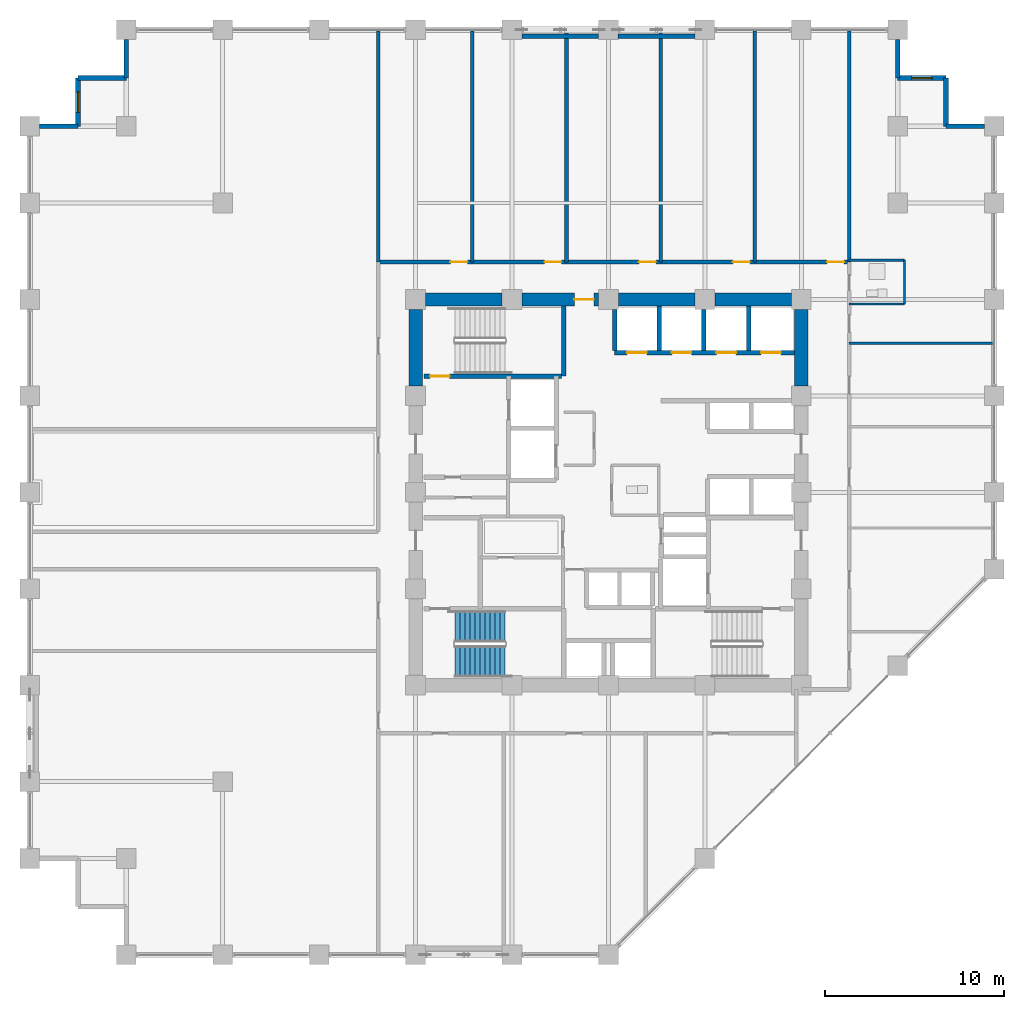
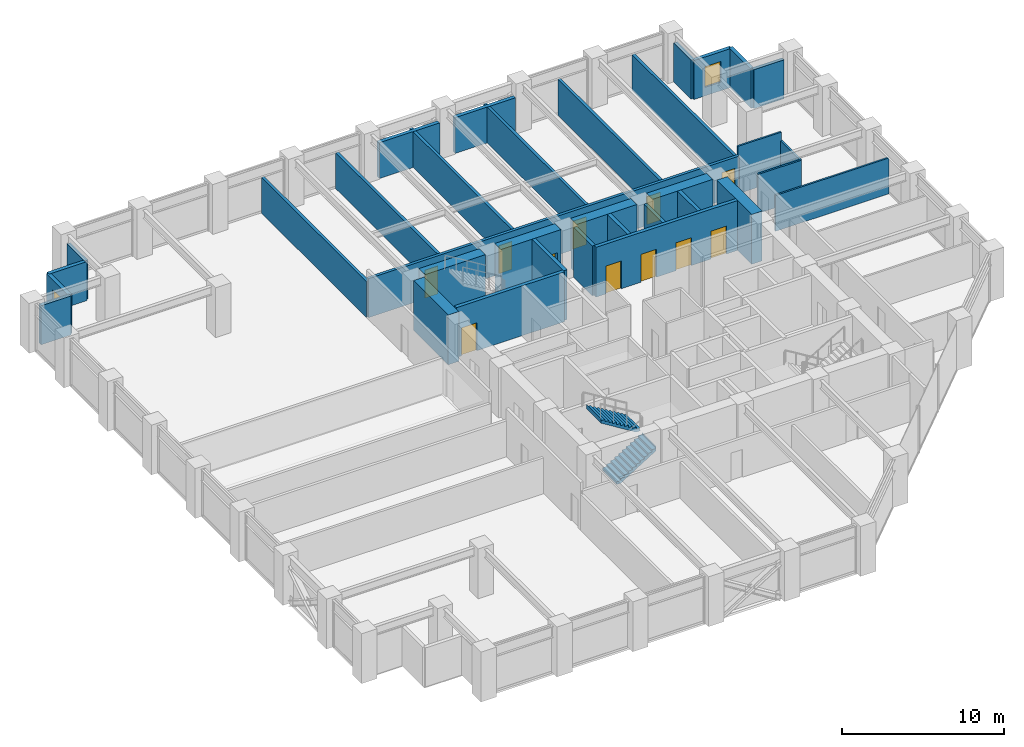
# One storey, part 21 of 25: 34 walls, 11 doors, 2 stair flights, 2 windows, 13 openings, 1 element without a shape of its own.
"""IFC4 building model written with IfcOpenShell, lengths in metres."""

from ifc_helpers import new_model, si_unit, direction, frame, frame_2d, origin, place, context, subcontext, project, spatial, polyline, rectangle, outline, extrude, material, layer, layer_set, type_object, element, fill, aggregate, save


model = new_model("IFC4")

# Units and contexts
model_context = context("Model", 3, precision=1e-05, world=origin(), true_north=direction((0.0, 1.0)))
body_context = subcontext(model_context, "Body", "Model", "MODEL_VIEW")
ifc_project = project(units=[si_unit("LENGTHUNIT", "METRE"), si_unit("AREAUNIT", "SQUARE_METRE"), si_unit("VOLUMEUNIT", "CUBIC_METRE"), si_unit("PLANEANGLEUNIT", "RADIAN"), si_unit("MASSUNIT", "GRAM", prefix="KILO")], contexts=[model_context])

# Site, building, storey
site_placement = place(None, origin())
site = spatial("IfcSite", under=ifc_project, at=site_placement, CompositionType="ELEMENT")
building_placement = place(site_placement, origin())
building = spatial("IfcBuilding", under=site, at=building_placement, Name="Surkhivell Harbour Commons", CompositionType="ELEMENT")
storey_placement = place(building_placement, frame((0.0, 0.0, 117.0)))
storey = spatial("IfcBuildingStorey", under=building, at=storey_placement, Name="L30", CompositionType="ELEMENT", Elevation=117.0)

# Wall
ifc_material_1 = material(Name="Concrete C60/75", Category="concrete")
ifc_layer_1 = layer(ifc_material_1, 0.75)
ifc_layer_set_1 = layer_set([ifc_layer_1], Name="Concrete C60/75")
wall_type_1 = type_object("IfcWallType", Name="WAL-CORE-750", PredefinedType="SHEAR", material=ifc_layer_set_1)
wall_1_placement = place(storey_placement, frame((-10.239990234375, 10.800048828125, 0.0), z_axis=(0.0, 0.0, 1.0), x_axis=(1.0, 0.0, 0.0)))
element("IfcWall", 1, at=wall_1_placement, inside=storey, type_object=wall_type_1, Name="L30 Core Shear Wall North 1", PredefinedType="SHEAR", context=body_context, shape_type="SweptSolid", body=[
    extrude(rectangle(XDim=4.280029296875, YDim=0.75, at=frame_2d((2.14013671875, 0.0))), origin(), (0.0, 0.0, 1.0), 3.75),
])

# Wall, opening, door
wall_2_placement = place(storey_placement, frame((-4.840087890625, 10.800048828125, 0.0), z_axis=(0.0, 0.0, 1.0), x_axis=(1.0, 0.0, 0.0)))
wall_2 = element("IfcWall", 2, at=wall_2_placement, inside=storey, type_object=wall_type_1, Name="L30 Core Shear Wall North 2", PredefinedType="SHEAR", context=body_context, shape_type="SweptSolid", body=[
    extrude(rectangle(XDim=4.280029296875, YDim=0.75, at=frame_2d((2.14013671875, 0.0))), origin(), (0.0, 0.0, 1.0), 3.75),
])
opening_1_placement = place(wall_2_placement, frame((2.929931640625, 0.0, 0.0)))
opening_1 = element("IfcOpeningElement", 3, at=opening_1_placement, cuts=wall_2, Name="Opening ID-2", PredefinedType="OPENING", context=body_context, shape_type="SweptSolid", body=[
    extrude(rectangle(XDim=1.10009765625, YDim=2.10009765625, at=frame_2d((0.550048828125, 1.050048828125))), frame((0.0, 0.385009765625, 0.0), z_axis=(0.0, -1.0, 0.0), x_axis=(1.0, 0.0, 0.0)), (0.0, 0.0, 1.0), 0.77001953125),
])
ifc_material_2 = material(Name="Hardwood-veneered fire-rated door leaf", Category="wood")
door_type_1 = type_object("IfcDoorType", Name="DOR-FD60-1100", OperationType="NOTDEFINED", PredefinedType="DOOR", material=ifc_material_2)
door_1_placement = place(opening_1_placement, origin())
door_1 = element("IfcDoor", 4, at=door_1_placement, inside=storey, type_object=door_type_1, Name="L30 Central Core Lift Hall North Corridor Door", OperationType="SINGLE_SWING_LEFT", OverallHeight=2.10009765625, OverallWidth=1.10009765625, PredefinedType="DOOR", context=body_context, shape_type="SweptSolid", body=[
    extrude(rectangle(XDim=1.10009765625, YDim=2.10009765625, at=frame_2d((0.550048828125, 1.050048828125))), frame((0.0, 0.02490234375, 0.0), z_axis=(0.0, -1.0, 0.0), x_axis=(1.0, 0.0, 0.0)), (0.0, 0.0, 1.0), 0.050048828125),
])
fill(opening_1, door_1)

# Walls
for number, where, z_axis, x_axis, name in (
    (5, (0.56005859375, 10.800048828125, 0.0), (0.0, 0.0, 1.0), (1.0, 0.0, 0.0), "L30 Core Shear Wall North 3"),
    (6, (5.9599609375, 10.800048828125, 0.0), (0.0, 0.0, 1.0), (1.0, 0.0, 0.0), "L30 Core Shear Wall North 4"),
    (7, (-10.800048828125, 5.9599609375, 0.0), (0.0, 0.0, 1.0), (0.0, 1.0, 0.0), "L30 Core Shear Wall West 4"),
    (8, (10.800048828125, 5.9599609375, 0.0), (0.0, 0.0, 1.0), (0.0, 1.0, 0.0), "L30 Core Shear Wall East 4"),
):
    element("IfcWall", number, at=place(storey_placement, frame(where, z_axis=z_axis, x_axis=x_axis)), inside=storey, type_object=wall_type_1, Name=name, PredefinedType="SHEAR", context=body_context, shape_type="SweptSolid", body=[
        extrude(rectangle(XDim=4.280029296875, YDim=0.75, at=frame_2d((2.14013671875, 0.0))), origin(), (0.0, 0.0, 1.0), 3.75),
    ])
ifc_material_3 = material(Name="Pale-metal insulated precast concrete C45/55", Category="concrete")
ifc_layer_2 = layer(ifc_material_3, 0.260009765625)
ifc_layer_set_2 = layer_set([ifc_layer_2], Name="Pale-metal insulated precast concrete C45/55")
wall_type_2 = type_object("IfcWallType", Name="WAL-EXT-MTL260", PredefinedType="STANDARD", material=ifc_layer_set_2)
wall_3_placement = place(storey_placement, frame((21.052001953125, 20.5, 0.0), z_axis=(0.0, 0.0, 1.0), x_axis=(-1.0, 0.0, 0.0)))
element("IfcWall", 9, at=wall_3_placement, inside=storey, type_object=wall_type_2, Name="L30 Serrated Corner Facade Wall 03", PredefinedType="STANDARD", context=body_context, shape_type="SweptSolid", body=[
    extrude(rectangle(XDim=2.152099609375, YDim=0.260009765625, at=frame_2d((1.076171875, 0.0))), origin(), (0.0, 0.0, 1.0), 2.93310546875),
])
wall_4_placement = place(storey_placement, frame((18.89990234375, 20.5, 0.0), z_axis=(0.0, 0.0, 1.0), x_axis=(0.0, 1.0, 0.0)))
element("IfcWall", 10, at=wall_4_placement, inside=storey, type_object=wall_type_2, Name="L30 Serrated Corner Facade Wall 04", PredefinedType="STANDARD", context=body_context, shape_type="SweptSolid", body=[
    extrude(rectangle(XDim=2.699951171875, YDim=0.260009765625, at=frame_2d((1.35009765625, 0.0))), origin(), (0.0, 0.0, 1.0), 2.93310546875),
])

# Wall, opening, window
wall_5_placement = place(storey_placement, frame((18.89990234375, 23.199951171875, 0.0), z_axis=(0.0, 0.0, 1.0), x_axis=(-1.0, 0.0, 0.0)))
wall_5 = element("IfcWall", 11, at=wall_5_placement, inside=storey, type_object=wall_type_2, Name="L30 Serrated Corner Facade Wall 05", PredefinedType="STANDARD", context=body_context, shape_type="SweptSolid", body=[
    extrude(rectangle(XDim=2.699951171875, YDim=0.260009765625, at=frame_2d((1.35009765625, 0.0))), origin(), (0.0, 0.0, 1.0), 2.93310546875),
])
opening_2_placement = place(wall_5_placement, frame((0.77490234375, 0.0, 0.64990234375)))
opening_2 = element("IfcOpeningElement", 12, at=opening_2_placement, cuts=wall_5, Name="Opening WN-10", PredefinedType="OPENING", context=body_context, shape_type="SweptSolid", body=[
    extrude(rectangle(XDim=1.14990234375, YDim=1.550048828125, at=frame_2d((0.574951171875, 0.77490234375))), frame((0.0, 0.139892578125, 0.0), z_axis=(0.0, -1.0, 0.0), x_axis=(1.0, 0.0, 0.0)), (0.0, 0.0, 1.0), 0.280029296875),
])
ifc_material_4 = material(Name="Thermal-break aluminium frame and double low-E glazing", Category="aluminium")
window_type = type_object("IfcWindowType", Name="WIN-SER-1150x1550", PartitioningType="SINGLE_PANEL", PredefinedType="WINDOW", material=ifc_material_4)
window_1_placement = place(opening_2_placement, origin())
window_1 = element("IfcWindow", 13, at=window_1_placement, inside=storey, type_object=window_type, Name="L30 Serrated Alcove Window 05", OverallHeight=1.550048828125, OverallWidth=1.14990234375, PartitioningType="SINGLE_PANEL", PredefinedType="WINDOW", context=body_context, shape_type="SweptSolid", body=[
    extrude(rectangle(XDim=1.14990234375, YDim=1.550048828125, at=frame_2d((0.574951171875, 0.77490234375))), frame((0.0, 0.030029296875, 0.0), z_axis=(0.0, -1.0, 0.0), x_axis=(1.0, 0.0, 0.0)), (0.0, 0.0, 1.0), 0.06005859375),
])
fill(opening_2, window_1)

# Walls
wall_6_placement = place(storey_placement, frame((16.199951171875, 23.199951171875, 0.0), z_axis=(0.0, 0.0, 1.0), x_axis=(0.0, 1.0, 0.0)))
element("IfcWall", 14, at=wall_6_placement, inside=storey, type_object=wall_type_2, Name="L30 Serrated Corner Facade Wall 06", PredefinedType="STANDARD", context=body_context, shape_type="SweptSolid", body=[
    extrude(rectangle(XDim=2.152099609375, YDim=0.260009765625, at=frame_2d((1.076171875, 0.0))), origin(), (0.0, 0.0, 1.0), 2.93310546875),
])
for number, where, z_axis, x_axis, name in (
    (15, (-0.548095703125, 25.5400390625, 0.0), (0.0, 0.0, 1.0), (-1.0, 0.0, 0.0), "L30 Braced-Bay Insulated Spandrel Backing N"),
    (16, (4.85205078125, 25.5400390625, 0.0), (0.0, 0.0, 1.0), (-1.0, 0.0, 0.0), "L30 Braced-Bay Insulated Spandrel Backing N2"),
):
    element("IfcWall", number, at=place(storey_placement, frame(where, z_axis=z_axis, x_axis=x_axis)), inside=storey, type_object=wall_type_2, Name=name, PredefinedType="STANDARD", context=body_context, shape_type="SweptSolid", body=[
        extrude(rectangle(XDim=4.303955078125, YDim=0.260009765625, at=frame_2d((2.15185546875, 0.0))), origin(), (0.0, 0.0, 1.0), 2.698974609375),
    ])
wall_7_placement = place(storey_placement, frame((-27.0, 25.35205078125, 0.0), z_axis=(0.0, 0.0, 1.0), x_axis=(0.0, -1.0, 0.0)))
element("IfcWall", 17, at=wall_7_placement, inside=storey, type_object=wall_type_2, Name="L30 Serrated Corner Facade Wall 08", PredefinedType="STANDARD", context=body_context, shape_type="SweptSolid", body=[
    extrude(rectangle(XDim=2.152099609375, YDim=0.260009765625, at=frame_2d((1.076171875, 0.0))), origin(), (0.0, 0.0, 1.0), 2.93310546875),
])
wall_8_placement = place(storey_placement, frame((-27.0, 23.199951171875, 0.0), z_axis=(0.0, 0.0, 1.0), x_axis=(-1.0, 0.0, 0.0)))
element("IfcWall", 18, at=wall_8_placement, inside=storey, type_object=wall_type_2, Name="L30 Serrated Corner Facade Wall 09", PredefinedType="STANDARD", context=body_context, shape_type="SweptSolid", body=[
    extrude(rectangle(XDim=2.699951171875, YDim=0.260009765625, at=frame_2d((1.35009765625, 0.0))), origin(), (0.0, 0.0, 1.0), 2.93310546875),
])

# Wall, opening, window
wall_9_placement = place(storey_placement, frame((-29.699951171875, 23.199951171875, 0.0), z_axis=(0.0, 0.0, 1.0), x_axis=(0.0, -1.0, 0.0)))
wall_9 = element("IfcWall", 19, at=wall_9_placement, inside=storey, type_object=wall_type_2, Name="L30 Serrated Corner Facade Wall 10", PredefinedType="STANDARD", context=body_context, shape_type="SweptSolid", body=[
    extrude(rectangle(XDim=2.699951171875, YDim=0.260009765625, at=frame_2d((1.35009765625, 0.0))), origin(), (0.0, 0.0, 1.0), 2.93310546875),
])
opening_3_placement = place(wall_9_placement, frame((0.77490234375, 0.0, 0.64990234375)))
opening_3 = element("IfcOpeningElement", 20, at=opening_3_placement, cuts=wall_9, Name="Opening WN-10", PredefinedType="OPENING", context=body_context, shape_type="SweptSolid", body=[
    extrude(rectangle(XDim=1.14990234375, YDim=1.550048828125, at=frame_2d((0.574951171875, 0.77490234375))), frame((0.0, 0.139892578125, 0.0), z_axis=(0.0, -1.0, 0.0), x_axis=(1.0, 0.0, 0.0)), (0.0, 0.0, 1.0), 0.280029296875),
])
window_2_placement = place(opening_3_placement, origin())
window_2 = element("IfcWindow", 21, at=window_2_placement, inside=storey, type_object=window_type, Name="L30 Serrated Alcove Window 10", OverallHeight=1.550048828125, OverallWidth=1.14990234375, PartitioningType="SINGLE_PANEL", PredefinedType="WINDOW", context=body_context, shape_type="SweptSolid", body=[
    extrude(rectangle(XDim=1.14990234375, YDim=1.550048828125, at=frame_2d((0.574951171875, 0.77490234375))), frame((0.0, 0.030029296875, 0.0), z_axis=(0.0, -1.0, 0.0), x_axis=(1.0, 0.0, 0.0)), (0.0, 0.0, 1.0), 0.06005859375),
])
fill(opening_3, window_2)

# Walls
wall_10_placement = place(storey_placement, frame((-29.699951171875, 20.5, 0.0), z_axis=(0.0, 0.0, 1.0), x_axis=(-1.0, 0.0, 0.0)))
element("IfcWall", 22, at=wall_10_placement, inside=storey, type_object=wall_type_2, Name="L30 Serrated Corner Facade Wall 11", PredefinedType="STANDARD", context=body_context, shape_type="SweptSolid", body=[
    extrude(rectangle(XDim=2.152099609375, YDim=0.260009765625, at=frame_2d((1.076171875, 0.0))), origin(), (0.0, 0.0, 1.0), 2.93310546875),
])
ifc_material_5 = material(Name="Moisture-resistant acoustic stud partition", Category="other")
ifc_layer_3 = layer(ifc_material_5, 0.125)
ifc_layer_set_3 = layer_set([ifc_layer_3], Name="Moisture-resistant acoustic stud partition")
wall_type_3 = type_object("IfcWallType", Name="WAL-INT-125", PredefinedType="PARTITIONING", material=ifc_layer_set_3)
wall_11_placement = place(storey_placement, frame((16.580078125, 10.550048828125, 0.0), z_axis=(0.0, 0.0, 1.0), x_axis=(0.0, 1.0, 0.0)))
element("IfcWall", 23, at=wall_11_placement, inside=storey, type_object=wall_type_3, Name="L30 East Partition BTHB", PredefinedType="PARTITIONING", context=body_context, shape_type="SweptSolid", body=[
    extrude(rectangle(XDim=2.449951171875, YDim=0.125, at=frame_2d((1.22509765625, 0.0))), origin(), (0.0, 0.0, 1.0), 2.93310546875),
])
wall_12_placement = place(storey_placement, frame((13.47998046875, 13.0, 0.0), z_axis=(0.0, 0.0, 1.0), x_axis=(1.0, 0.0, 0.0)))
element("IfcWall", 24, at=wall_12_placement, inside=storey, type_object=wall_type_3, Name="L30 East Partition BTHN", PredefinedType="PARTITIONING", context=body_context, shape_type="SweptSolid", body=[
    extrude(rectangle(XDim=3.10009765625, YDim=0.125, at=frame_2d((1.550048828125, 0.0))), origin(), (0.0, 0.0, 1.0), 3.570068359375),
])
wall_13_placement = place(storey_placement, frame((13.47998046875, 10.550048828125, 0.0), z_axis=(0.0, 0.0, 1.0), x_axis=(1.0, 0.0, 0.0)))
element("IfcWall", 25, at=wall_13_placement, inside=storey, type_object=wall_type_3, Name="L30 East Partition BTHS", PredefinedType="PARTITIONING", context=body_context, shape_type="SweptSolid", body=[
    extrude(rectangle(XDim=3.10009765625, YDim=0.125, at=frame_2d((1.550048828125, 0.0))), origin(), (0.0, 0.0, 1.0), 2.93310546875),
])
wall_14_placement = place(storey_placement, frame((13.47998046875, 8.35009765625, 0.0), z_axis=(0.0, 0.0, 1.0), x_axis=(1.0, 0.0, 0.0)))
element("IfcWall", 26, at=wall_14_placement, inside=storey, type_object=wall_type_3, Name="L30 East Partition PTOP", PredefinedType="PARTITIONING", context=body_context, shape_type="SweptSolid", body=[
    extrude(rectangle(XDim=8.06005859375, YDim=0.125, at=frame_2d((4.030029296875, 0.0))), origin(), (0.0, 0.0, 1.0), 2.698974609375),
])
ifc_material_6 = material(Name="Autoclaved aerated concrete blockwork and fire plaster", Category="masonry")
ifc_layer_4 = layer(ifc_material_6, 0.199951171875)
ifc_layer_set_4 = layer_set([ifc_layer_4], Name="Autoclaved aerated concrete blockwork and fire plaster")
wall_type_4 = type_object("IfcWallType", Name="WAL-INT-200", PredefinedType="PARTITIONING", material=ifc_layer_set_4)
for number, where, z_axis, x_axis, name in (
    (27, (13.47998046875, 12.89990234375, 0.0), (0.0, 0.0, 1.0), (0.0, 1.0, 0.0), "L30 North-East Wing Corner Divider"),
    (28, (-12.89990234375, 12.89990234375, 0.0), (0.0, 0.0, 1.0), (0.0, 1.0, 0.0), "L30 North-West Wing Corner Divider"),
):
    element("IfcWall", number, at=place(storey_placement, frame(where, z_axis=z_axis, x_axis=x_axis)), inside=storey, type_object=wall_type_4, Name=name, PredefinedType="PARTITIONING", context=body_context, shape_type="SweptSolid", body=[
        extrude(rectangle(XDim=12.940185546875, YDim=0.199951171875, at=frame_2d((6.47021484375, 0.0))), origin(), (0.0, 0.0, 1.0), 2.698974609375),
    ])

# Wall, openings, doors
wall_15_placement = place(storey_placement, frame((-12.89990234375, 12.89990234375, 0.0), z_axis=(0.0, 0.0, 1.0), x_axis=(1.0, 0.0, 0.0)))
wall_15 = element("IfcWall", 29, at=wall_15_placement, inside=storey, type_object=wall_type_4, Name="L30 Corridor North Wall", PredefinedType="PARTITIONING", context=body_context, shape_type="SweptSolid", body=[
    extrude(rectangle(XDim=26.3798828125, YDim=0.199951171875, at=frame_2d((13.18994140625, 0.0))), origin(), (0.0, 0.0, 1.0), 2.93310546875),
])
opening_4_placement = place(wall_15_placement, frame((4.050048828125, 0.0, 0.0)))
opening_4 = element("IfcOpeningElement", 30, at=opening_4_placement, cuts=wall_15, Name="Opening ID-4", PredefinedType="OPENING", context=body_context, shape_type="SweptSolid", body=[
    extrude(rectangle(XDim=0.949951171875, YDim=2.10009765625, at=frame_2d((0.47509765625, 1.050048828125))), frame((0.0, 0.10986328125, 0.0), z_axis=(0.0, -1.0, 0.0), x_axis=(1.0, 0.0, 0.0)), (0.0, 0.0, 1.0), 0.219970703125),
])
opening_5_placement = place(wall_15_placement, frame((9.320068359375, 0.0, 0.0)))
opening_5 = element("IfcOpeningElement", 31, at=opening_5_placement, cuts=wall_15, Name="Opening ID-4", PredefinedType="OPENING", context=body_context, shape_type="SweptSolid", body=[
    extrude(rectangle(XDim=0.949951171875, YDim=2.10009765625, at=frame_2d((0.47509765625, 1.050048828125))), frame((0.0, 0.10986328125, 0.0), z_axis=(0.0, -1.0, 0.0), x_axis=(1.0, 0.0, 0.0)), (0.0, 0.0, 1.0), 0.219970703125),
])
opening_6_placement = place(wall_15_placement, frame((14.60009765625, 0.0, 0.0)))
opening_6 = element("IfcOpeningElement", 32, at=opening_6_placement, cuts=wall_15, Name="Opening ID-4", PredefinedType="OPENING", context=body_context, shape_type="SweptSolid", body=[
    extrude(rectangle(XDim=0.949951171875, YDim=2.10009765625, at=frame_2d((0.47509765625, 1.050048828125))), frame((0.0, 0.10986328125, 0.0), z_axis=(0.0, -1.0, 0.0), x_axis=(1.0, 0.0, 0.0)), (0.0, 0.0, 1.0), 0.219970703125),
])
opening_7_placement = place(wall_15_placement, frame((19.8701171875, 0.0, 0.0)))
opening_7 = element("IfcOpeningElement", 33, at=opening_7_placement, cuts=wall_15, Name="Opening ID-4", PredefinedType="OPENING", context=body_context, shape_type="SweptSolid", body=[
    extrude(rectangle(XDim=0.949951171875, YDim=2.10009765625, at=frame_2d((0.47509765625, 1.050048828125))), frame((0.0, 0.10986328125, 0.0), z_axis=(0.0, -1.0, 0.0), x_axis=(1.0, 0.0, 0.0)), (0.0, 0.0, 1.0), 0.219970703125),
])
opening_8_placement = place(wall_15_placement, frame((25.14990234375, 0.0, 0.0)))
opening_8 = element("IfcOpeningElement", 34, at=opening_8_placement, cuts=wall_15, Name="Opening ID-4", PredefinedType="OPENING", context=body_context, shape_type="SweptSolid", body=[
    extrude(rectangle(XDim=0.949951171875, YDim=2.10009765625, at=frame_2d((0.47509765625, 1.050048828125))), frame((0.0, 0.10986328125, 0.0), z_axis=(0.0, -1.0, 0.0), x_axis=(1.0, 0.0, 0.0)), (0.0, 0.0, 1.0), 0.219970703125),
])
door_type_2 = type_object("IfcDoorType", Name="DOR-FD60-950", OperationType="NOTDEFINED", PredefinedType="DOOR", material=ifc_material_2)
door_2_placement = place(opening_4_placement, origin())
door_2 = element("IfcDoor", 35, at=door_2_placement, inside=storey, type_object=door_type_2, Name="L30 Co-Working Study Office Pod 1 North Door", OperationType="SINGLE_SWING_RIGHT", OverallHeight=2.10009765625, OverallWidth=0.949951171875, PredefinedType="DOOR", context=body_context, shape_type="SweptSolid", body=[
    extrude(rectangle(XDim=0.949951171875, YDim=2.10009765625, at=frame_2d((0.47509765625, 1.050048828125))), frame((0.0, 0.02490234375, 0.0), z_axis=(0.0, -1.0, 0.0), x_axis=(1.0, 0.0, 0.0)), (0.0, 0.0, 1.0), 0.050048828125),
])
fill(opening_4, door_2)
door_3_placement = place(opening_5_placement, origin())
door_3 = element("IfcDoor", 36, at=door_3_placement, inside=storey, type_object=door_type_2, Name="L30 Academic Seminar Pod 2 North Door", OperationType="SINGLE_SWING_LEFT", OverallHeight=2.10009765625, OverallWidth=0.949951171875, PredefinedType="DOOR", context=body_context, shape_type="SweptSolid", body=[
    extrude(rectangle(XDim=0.949951171875, YDim=2.10009765625, at=frame_2d((0.47509765625, 1.050048828125))), frame((0.0, 0.02490234375, 0.0), z_axis=(0.0, -1.0, 0.0), x_axis=(1.0, 0.0, 0.0)), (0.0, 0.0, 1.0), 0.050048828125),
])
fill(opening_5, door_3)
door_4_placement = place(opening_6_placement, origin())
door_4 = element("IfcDoor", 37, at=door_4_placement, inside=storey, type_object=door_type_2, Name="L30 Harbour Espresso Cafe Shop 3 North Door", OperationType="SINGLE_SWING_RIGHT", OverallHeight=2.10009765625, OverallWidth=0.949951171875, PredefinedType="DOOR", context=body_context, shape_type="SweptSolid", body=[
    extrude(rectangle(XDim=0.949951171875, YDim=2.10009765625, at=frame_2d((0.47509765625, 1.050048828125))), frame((0.0, 0.02490234375, 0.0), z_axis=(0.0, -1.0, 0.0), x_axis=(1.0, 0.0, 0.0)), (0.0, 0.0, 1.0), 0.050048828125),
])
fill(opening_6, door_4)
door_5_placement = place(opening_7_placement, origin())
door_5 = element("IfcDoor", 38, at=door_5_placement, inside=storey, type_object=door_type_2, Name="L30 Zone Concierge Reception Foyer 4 North Door", OperationType="SINGLE_SWING_LEFT", OverallHeight=2.10009765625, OverallWidth=0.949951171875, PredefinedType="DOOR", context=body_context, shape_type="SweptSolid", body=[
    extrude(rectangle(XDim=0.949951171875, YDim=2.10009765625, at=frame_2d((0.47509765625, 1.050048828125))), frame((0.0, 0.02490234375, 0.0), z_axis=(0.0, -1.0, 0.0), x_axis=(1.0, 0.0, 0.0)), (0.0, 0.0, 1.0), 0.050048828125),
])
fill(opening_7, door_5)
door_6_placement = place(opening_8_placement, origin())
door_6 = element("IfcDoor", 39, at=door_6_placement, inside=storey, type_object=door_type_2, Name="L30 Shared Communal Kitchen 5 North Door", OperationType="SINGLE_SWING_RIGHT", OverallHeight=2.10009765625, OverallWidth=0.949951171875, PredefinedType="DOOR", context=body_context, shape_type="SweptSolid", body=[
    extrude(rectangle(XDim=0.949951171875, YDim=2.10009765625, at=frame_2d((0.47509765625, 1.050048828125))), frame((0.0, 0.02490234375, 0.0), z_axis=(0.0, -1.0, 0.0), x_axis=(1.0, 0.0, 0.0)), (0.0, 0.0, 1.0), 0.050048828125),
])
fill(opening_8, door_6)

# Walls
for number, where, z_axis, x_axis, name in (
    (40, (-7.6201171875, 12.89990234375, 0.0), (0.0, 0.0, 1.0), (0.0, 1.0, 0.0), "L30 North Partition P1"),
    (41, (-2.35009765625, 12.89990234375, 0.0), (0.0, 0.0, 1.0), (0.0, 1.0, 0.0), "L30 North Partition P2"),
    (42, (2.929931640625, 12.89990234375, 0.0), (0.0, 0.0, 1.0), (0.0, 1.0, 0.0), "L30 North Partition P3"),
    (43, (8.199951171875, 12.89990234375, 0.0), (0.0, 0.0, 1.0), (0.0, 1.0, 0.0), "L30 North Partition P4"),
):
    element("IfcWall", number, at=place(storey_placement, frame(where, z_axis=z_axis, x_axis=x_axis)), inside=storey, type_object=wall_type_4, Name=name, PredefinedType="PARTITIONING", context=body_context, shape_type="SweptSolid", body=[
        extrude(rectangle(XDim=12.940185546875, YDim=0.199951171875, at=frame_2d((6.47021484375, 0.0))), origin(), (0.0, 0.0, 1.0), 2.698974609375),
    ])
ifc_material_7 = material(Name="Concrete C50/60", Category="concrete")
ifc_layer_5 = layer(ifc_material_7, 0.25)
ifc_layer_set_5 = layer_set([ifc_layer_5], Name="Concrete C50/60")
wall_type_5 = type_object("IfcWallType", Name="WAL-SHAFT-250", PredefinedType="SHEAR", material=ifc_layer_set_5)
wall_16_placement = place(storey_placement, frame((2.85009765625, 7.93994140625, 0.0), z_axis=(0.0, 0.0, 1.0), x_axis=(0.0, 1.0, 0.0)))
element("IfcWall", 44, at=wall_16_placement, inside=storey, type_object=wall_type_5, Name="L30 Low-Rise Hoistway Wall", PredefinedType="SHEAR", context=body_context, shape_type="SweptSolid", body=[
    extrude(rectangle(XDim=2.485107421875, YDim=0.25, at=frame_2d((1.24267578125, 0.0))), origin(), (0.0, 0.0, 1.0), 3.75),
])
for number, where, z_axis, x_axis, name in (
    (45, (0.35009765625, 7.93994140625, 0.0), (0.0, 0.0, 1.0), (0.0, 1.0, 0.0), "L30 Low-Rise Hoistway Wall"),
    (46, (5.35009765625, 7.93994140625, 0.0), (0.0, 0.0, 1.0), (0.0, 1.0, 0.0), "L30 Low-Rise Hoistway Wall"),
):
    element("IfcWall", number, at=place(storey_placement, frame(where, z_axis=z_axis, x_axis=x_axis)), inside=storey, type_object=wall_type_5, Name=name, PredefinedType="SHEAR", context=body_context, shape_type="SweptSolid", body=[
        extrude(rectangle(XDim=2.31005859375, YDim=0.25, at=frame_2d((1.155029296875, 0.0))), origin(), (0.0, 0.0, 1.0), 3.75),
    ])
wall_17_placement = place(storey_placement, frame((7.85009765625, 7.93994140625, 0.0), z_axis=(0.0, 0.0, 1.0), x_axis=(0.0, 1.0, 0.0)))
element("IfcWall", 47, at=wall_17_placement, inside=storey, type_object=wall_type_5, Name="L30 Low-Rise Hoistway Wall", PredefinedType="SHEAR", context=body_context, shape_type="SweptSolid", body=[
    extrude(rectangle(XDim=2.485107421875, YDim=0.25, at=frame_2d((1.24267578125, 0.0))), origin(), (0.0, 0.0, 1.0), 3.75),
])

# Wall, openings, doors
wall_18_placement = place(storey_placement, frame((0.35009765625, 7.820068359375, 0.0), z_axis=(0.0, 0.0, 1.0), x_axis=(1.0, 0.0, 0.0)))
wall_18 = element("IfcWall", 48, at=wall_18_placement, inside=storey, type_object=wall_type_5, Name="L30 Low-Rise Lift Front Shaft Wall", PredefinedType="SHEAR", context=body_context, shape_type="SweptSolid", body=[
    extrude(rectangle(XDim=10.074951171875, YDim=0.25, at=frame_2d((5.03759765625, 0.0))), origin(), (0.0, 0.0, 1.0), 3.75),
])
opening_9_placement = place(wall_18_placement, frame((0.699951171875, 0.0, 0.0)))
opening_9 = element("IfcOpeningElement", 49, at=opening_9_placement, cuts=wall_18, Name="Opening LD-1", PredefinedType="OPENING", context=body_context, shape_type="SweptSolid", body=[
    extrude(rectangle(XDim=1.10009765625, YDim=2.10009765625, at=frame_2d((0.550048828125, 1.050048828125))), frame((0.0, 0.135009765625, 0.0), z_axis=(0.0, -1.0, 0.0), x_axis=(1.0, 0.0, 0.0)), (0.0, 0.0, 1.0), 0.27001953125),
])
opening_10_placement = place(wall_18_placement, frame((3.199951171875, 0.0, 0.0)))
opening_10 = element("IfcOpeningElement", 50, at=opening_10_placement, cuts=wall_18, Name="Opening LD-1", PredefinedType="OPENING", context=body_context, shape_type="SweptSolid", body=[
    extrude(rectangle(XDim=1.10009765625, YDim=2.10009765625, at=frame_2d((0.550048828125, 1.050048828125))), frame((0.0, 0.135009765625, 0.0), z_axis=(0.0, -1.0, 0.0), x_axis=(1.0, 0.0, 0.0)), (0.0, 0.0, 1.0), 0.27001953125),
])
opening_11_placement = place(wall_18_placement, frame((5.699951171875, 0.0, 0.0)))
opening_11 = element("IfcOpeningElement", 51, at=opening_11_placement, cuts=wall_18, Name="Opening LD-1", PredefinedType="OPENING", context=body_context, shape_type="SweptSolid", body=[
    extrude(rectangle(XDim=1.10009765625, YDim=2.10009765625, at=frame_2d((0.550048828125, 1.050048828125))), frame((0.0, 0.135009765625, 0.0), z_axis=(0.0, -1.0, 0.0), x_axis=(1.0, 0.0, 0.0)), (0.0, 0.0, 1.0), 0.27001953125),
])
opening_12_placement = place(wall_18_placement, frame((8.199951171875, 0.0, 0.0)))
opening_12 = element("IfcOpeningElement", 52, at=opening_12_placement, cuts=wall_18, Name="Opening LD-1", PredefinedType="OPENING", context=body_context, shape_type="SweptSolid", body=[
    extrude(rectangle(XDim=1.10009765625, YDim=2.10009765625, at=frame_2d((0.550048828125, 1.050048828125))), frame((0.0, 0.135009765625, 0.0), z_axis=(0.0, -1.0, 0.0), x_axis=(1.0, 0.0, 0.0)), (0.0, 0.0, 1.0), 0.27001953125),
])
ifc_material_8 = material(Name="Brushed stainless steel S355", Category="steel")
door_type_3 = type_object("IfcDoorType", Name="DOR-LD-1100", OperationType="SLIDING_TO_LEFT", PredefinedType="DOOR", material=ifc_material_8)
door_7_placement = place(opening_9_placement, origin())
door_7 = element("IfcDoor", 53, at=door_7_placement, inside=storey, type_object=door_type_3, Name="L30 Lift Landing Door LD-PL1", OperationType="SLIDING_TO_LEFT", OverallHeight=2.10009765625, OverallWidth=1.10009765625, PredefinedType="DOOR", context=body_context, shape_type="SweptSolid", body=[
    extrude(rectangle(XDim=1.10009765625, YDim=2.10009765625, at=frame_2d((0.550048828125, 1.050048828125))), frame((0.0, 0.02490234375, 0.0), z_axis=(0.0, -1.0, 0.0), x_axis=(1.0, 0.0, 0.0)), (0.0, 0.0, 1.0), 0.050048828125),
])
fill(opening_9, door_7)
door_8_placement = place(opening_10_placement, origin())
door_8 = element("IfcDoor", 54, at=door_8_placement, inside=storey, type_object=door_type_3, Name="L30 Lift Landing Door LD-PL2", OperationType="SLIDING_TO_LEFT", OverallHeight=2.10009765625, OverallWidth=1.10009765625, PredefinedType="DOOR", context=body_context, shape_type="SweptSolid", body=[
    extrude(rectangle(XDim=1.10009765625, YDim=2.10009765625, at=frame_2d((0.550048828125, 1.050048828125))), frame((0.0, 0.02490234375, 0.0), z_axis=(0.0, -1.0, 0.0), x_axis=(1.0, 0.0, 0.0)), (0.0, 0.0, 1.0), 0.050048828125),
])
fill(opening_10, door_8)
door_9_placement = place(opening_11_placement, origin())
door_9 = element("IfcDoor", 55, at=door_9_placement, inside=storey, type_object=door_type_3, Name="L30 Lift Landing Door LD-PL3", OperationType="SLIDING_TO_LEFT", OverallHeight=2.10009765625, OverallWidth=1.10009765625, PredefinedType="DOOR", context=body_context, shape_type="SweptSolid", body=[
    extrude(rectangle(XDim=1.10009765625, YDim=2.10009765625, at=frame_2d((0.550048828125, 1.050048828125))), frame((0.0, 0.02490234375, 0.0), z_axis=(0.0, -1.0, 0.0), x_axis=(1.0, 0.0, 0.0)), (0.0, 0.0, 1.0), 0.050048828125),
])
fill(opening_11, door_9)
door_10_placement = place(opening_12_placement, origin())
door_10 = element("IfcDoor", 56, at=door_10_placement, inside=storey, type_object=door_type_3, Name="L30 Lift Landing Door LD-PL4", OperationType="SLIDING_TO_LEFT", OverallHeight=2.10009765625, OverallWidth=1.10009765625, PredefinedType="DOOR", context=body_context, shape_type="SweptSolid", body=[
    extrude(rectangle(XDim=1.10009765625, YDim=2.10009765625, at=frame_2d((0.550048828125, 1.050048828125))), frame((0.0, 0.02490234375, 0.0), z_axis=(0.0, -1.0, 0.0), x_axis=(1.0, 0.0, 0.0)), (0.0, 0.0, 1.0), 0.050048828125),
])
fill(opening_12, door_10)

# Wall
wall_19_placement = place(storey_placement, frame((-2.510009765625, 6.510009765625, 0.0), z_axis=(0.0, 0.0, 1.0), x_axis=(0.0, 1.0, 0.0)))
element("IfcWall", 57, at=wall_19_placement, inside=storey, type_object=wall_type_5, Name="L30 Stair ST1 East Shear Wall", PredefinedType="SHEAR", context=body_context, shape_type="SweptSolid", body=[
    extrude(rectangle(XDim=3.9150390625, YDim=0.25, at=frame_2d((1.95751953125, 0.0))), origin(), (0.0, 0.0, 1.0), 3.75),
])

# Wall, opening, door
wall_20_placement = place(storey_placement, frame((-10.340087890625, 6.510009765625, 0.0), z_axis=(0.0, 0.0, 1.0), x_axis=(1.0, 0.0, 0.0)))
wall_20 = element("IfcWall", 58, at=wall_20_placement, inside=storey, type_object=wall_type_5, Name="L30 Stair ST1 South Shear Wall", PredefinedType="SHEAR", context=body_context, shape_type="SweptSolid", body=[
    extrude(rectangle(XDim=7.7001953125, YDim=0.25, at=frame_2d((3.85009765625, 0.0))), origin(), (0.0, 0.0, 1.0), 3.75),
])
opening_13_placement = place(wall_20_placement, frame((0.35009765625, 0.0, 0.0)))
opening_13 = element("IfcOpeningElement", 59, at=opening_13_placement, cuts=wall_20, Name="Opening ID-2", PredefinedType="OPENING", context=body_context, shape_type="SweptSolid", body=[
    extrude(rectangle(XDim=1.10009765625, YDim=2.10009765625, at=frame_2d((0.550048828125, 1.050048828125))), frame((0.0, 0.135009765625, 0.0), z_axis=(0.0, -1.0, 0.0), x_axis=(1.0, 0.0, 0.0)), (0.0, 0.0, 1.0), 0.27001953125),
])
door_11_placement = place(opening_13_placement, origin())
door_11 = element("IfcDoor", 60, at=door_11_placement, inside=storey, type_object=door_type_1, Name="L30 Stair ST1 Exit Door", OperationType="SINGLE_SWING_LEFT", OverallHeight=2.10009765625, OverallWidth=1.10009765625, PredefinedType="DOOR", context=body_context, shape_type="SweptSolid", body=[
    extrude(rectangle(XDim=1.10009765625, YDim=2.10009765625, at=frame_2d((0.550048828125, 1.050048828125))), frame((0.0, 0.02490234375, 0.0), z_axis=(0.0, -1.0, 0.0), x_axis=(1.0, 0.0, 0.0)), (0.0, 0.0, 1.0), 0.050048828125),
])
fill(opening_13, door_11)

# Stair, stair flights
ifc_material_9 = material(Name="Precast concrete C45/55", Category="concrete")
stair_type = type_object("IfcStairType", Name="STR-DL-375", PredefinedType="HALF_TURN_STAIR", material=ifc_material_9)
stair_placement = place(storey_placement, origin())
stair = element("IfcStair", 61, at=stair_placement, inside=storey, type_object=stair_type, Name="L30 Core Exit Stair ST3", PredefinedType="HALF_TURN_STAIR")
stair_flight_type = type_object("IfcStairFlightType", Name="STF-DL-375", PredefinedType="STRAIGHT", material=ifc_material_9)
stair_flight_1_placement = place(storey_placement, frame((-8.590087890625, -9.465087890625, 0.0), z_axis=(0.0, 0.0, 1.0), x_axis=(1.0, 0.0, 0.0)))
stair_flight_1 = element("IfcStairFlight", 62, at=stair_flight_1_placement, type_object=stair_flight_type, Name="ST3 flight 1", NumberOfRisers=11, NumberOfTreads=10, PredefinedType="STRAIGHT", RiserHeight=0.170454545, TreadLength=0.28, context=body_context, shape_type="SweptSolid", body=[
    extrude(outline(polyline([(-0.0029296875, -0.034912109375), (-0.0029296875, 0.0), (0.0, 0.0), (0.0, 0.17041015625), (0.280029296875, 0.17041015625), (0.280029296875, 0.3408203125), (0.56005859375, 0.3408203125), (0.56005859375, 0.511474609375), (0.840087890625, 0.511474609375), (0.840087890625, 0.681884765625), (1.1201171875, 0.681884765625), (1.1201171875, 0.852294921875), (1.39990234375, 0.852294921875), (1.39990234375, 1.022705078125), (1.679931640625, 1.022705078125), (1.679931640625, 1.193115234375), (1.9599609375, 1.193115234375), (1.9599609375, 1.363525390625), (2.239990234375, 1.363525390625), (2.239990234375, 1.5341796875), (2.52001953125, 1.5341796875), (2.52001953125, 1.70458984375), (2.800048828125, 1.70458984375), (2.800048828125, 1.875), (2.802978515625, 1.875), (2.802978515625, 1.529052734375), (0.288330078125, -0.034912109375), (-0.0029296875, -0.034912109375)])), frame((0.0, 0.875, 0.0), z_axis=(0.0, -1.0, 0.0), x_axis=(1.0, 0.0, 0.0)), (0.0, 0.0, 1.0), 1.75),
])
stair_flight_2_placement = place(storey_placement, frame((-5.7900390625, -7.514892578125, 1.875), z_axis=(0.0, 0.0, 1.0), x_axis=(-1.0, 0.0, 0.0)))
stair_flight_2 = element("IfcStairFlight", 63, at=stair_flight_2_placement, type_object=stair_flight_type, Name="ST3 flight 2", NumberOfRisers=11, NumberOfTreads=10, PredefinedType="STRAIGHT", RiserHeight=0.170454545, TreadLength=0.28, context=body_context, shape_type="SweptSolid", body=[
    extrude(outline(polyline([(-0.0029296875, -0.034912109375), (-0.0029296875, 0.0), (0.0, 0.0), (0.0, 0.17041015625), (0.280029296875, 0.17041015625), (0.280029296875, 0.3408203125), (0.56005859375, 0.3408203125), (0.56005859375, 0.511474609375), (0.840087890625, 0.511474609375), (0.840087890625, 0.681884765625), (1.1201171875, 0.681884765625), (1.1201171875, 0.852294921875), (1.39990234375, 0.852294921875), (1.39990234375, 1.022705078125), (1.679931640625, 1.022705078125), (1.679931640625, 1.193115234375), (1.9599609375, 1.193115234375), (1.9599609375, 1.363525390625), (2.239990234375, 1.363525390625), (2.239990234375, 1.5341796875), (2.52001953125, 1.5341796875), (2.52001953125, 1.70458984375), (2.800048828125, 1.70458984375), (2.800048828125, 1.875), (2.802978515625, 1.875), (2.802978515625, 1.529052734375), (0.288330078125, -0.034912109375), (-0.0029296875, -0.034912109375)])), frame((0.0, 0.875, 0.0), z_axis=(0.0, -1.0, 0.0), x_axis=(1.0, 0.0, 0.0)), (0.0, 0.0, 1.0), 1.75),
])
aggregate(stair, [stair_flight_1, stair_flight_2])

save(model, "model.ifc")
